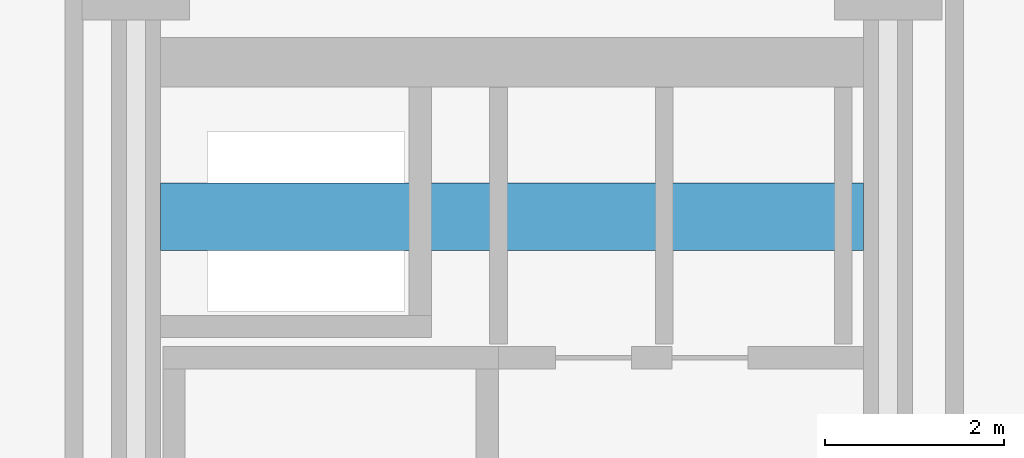
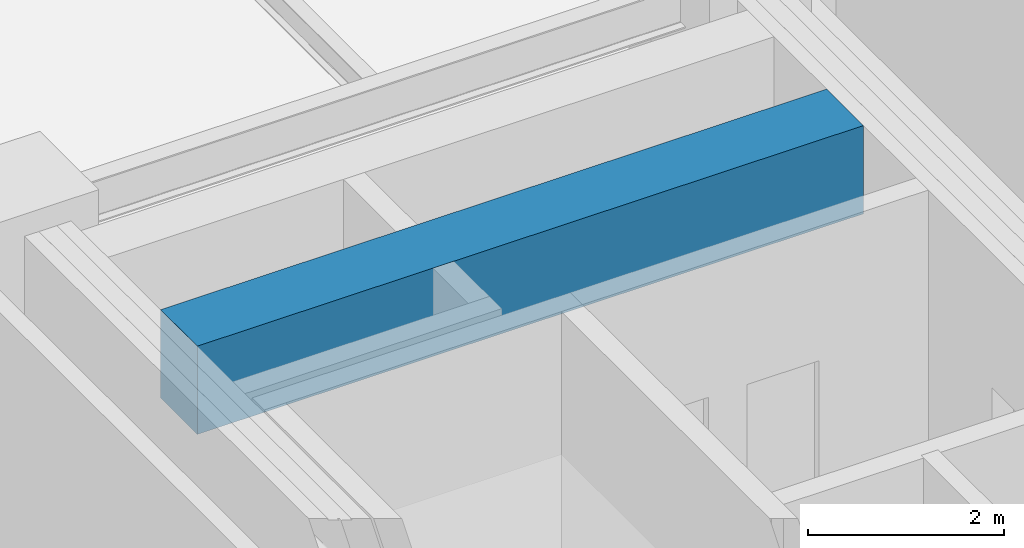
# One storey, part 17 of 30: 1 beam.
"""IFC4 building model written with IfcOpenShell, lengths in metres."""

from ifc_helpers import new_model, si_unit, direction, frame, origin, origin_2d, place, context, subcontext, project, spatial, rectangle, extrude, material, material_profile, profile_set, type_object, element, save


model = new_model("IFC4")

# Units and contexts
model_context = context("Model", 3, precision=1e-05, world=origin(), true_north=direction((0.0, 1.0)))
body_context = subcontext(model_context, "Body", "Model", "MODEL_VIEW")
ifc_project = project(units=[si_unit("LENGTHUNIT", "METRE"), si_unit("AREAUNIT", "SQUARE_METRE"), si_unit("VOLUMEUNIT", "CUBIC_METRE"), si_unit("PLANEANGLEUNIT", "RADIAN"), si_unit("MASSUNIT", "GRAM", prefix="KILO")], contexts=[model_context])

# Site, building, storey
site_placement = place(None, origin())
site = spatial("IfcSite", under=ifc_project, at=site_placement, CompositionType="ELEMENT")
building_placement = place(site_placement, origin())
building = spatial("IfcBuilding", under=site, at=building_placement, Name="Nerrivon Quay Data Exchange", CompositionType="ELEMENT")
storey_placement = place(building_placement, frame((0.0, 0.0, 117.199951171875)))
storey = spatial("IfcBuildingStorey", under=building, at=storey_placement, Name="L27", CompositionType="ELEMENT", Elevation=117.199951171875)

# Beam
ifc_material = material(Name="Concrete S65 (65 MPa)", Category="concrete")
ifc_material_profile = material_profile(ifc_material, rectangle(XDim=0.75, YDim=1.10009765625, at=origin_2d()), Name="RC-CB-750x1100")
ifc_profile_set = profile_set([ifc_material_profile], Name="Concrete S65 (65 MPa)")
beam_type = type_object("IfcBeamType", Name="BM-CB1-750x1100", PredefinedType="LINTEL", material=ifc_profile_set)
beam_placement = place(storey_placement, frame((8.675048828125, 39.199951171875, 3.275146484375), z_axis=(1.0, 0.0, 0.0), x_axis=(0.0, 1.0, 0.0)))
element("IfcBeam", 1, at=beam_placement, inside=storey, type_object=beam_type, Name="L27 West Core Coupling Beam", PredefinedType="LINTEL", context=body_context, shape_type="SweptSolid", body=[
    extrude(rectangle(XDim=0.75, YDim=1.10009765625, at=origin_2d()), origin(), (0.0, 0.0, 1.0), 7.849853515625),
])

save(model, "model.ifc")
